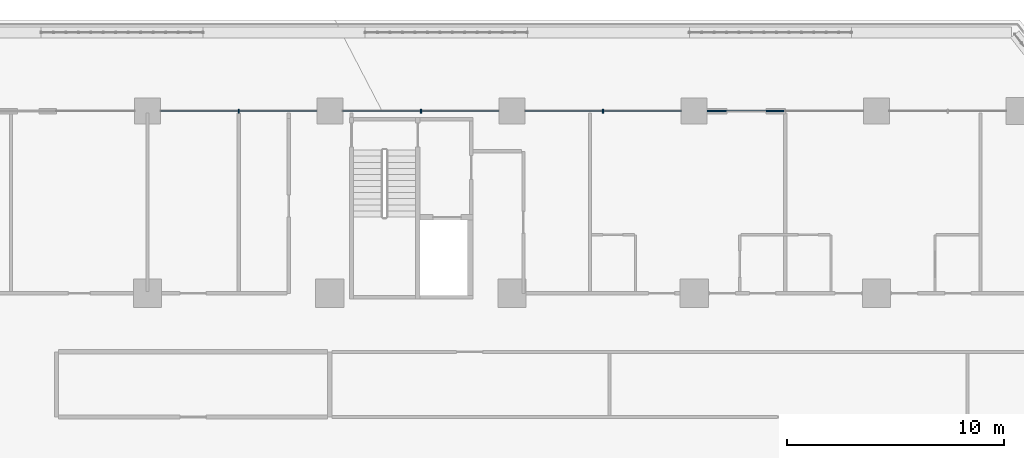
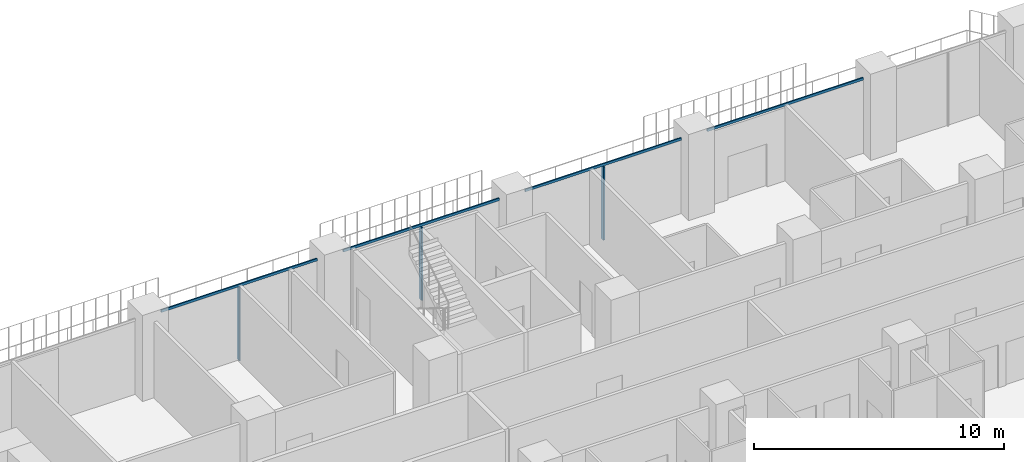
# One storey, part 8 of 28: 7 members, 1 element without a shape of its own.
"""IFC4 building model written with IfcOpenShell, lengths in metres."""

import ifcopenshell
import ifcopenshell.guid

model = None  # the IFC model being written
_history = None  # IfcOwnerHistory: only IFC2X3 demands one
_inside = {}  # id of a spatial element -> (the spatial element, [elements in it])
_under = {}  # id of a project, library or spatial element -> (it, [spatial elements below it])
_declared = {}  # id of a project -> (the project, [libraries it declares])
_typed = {}  # id of a type object -> (the type object, [elements of that type])
_made_of = {}  # id of a material, layer set ... -> (it, [elements and type objects made of it])


def new_model(schema):
    """Start an empty IFC model of exactly this schema.

    Asked for "IFC4X3", IfcOpenShell would pick the latest addendum, in which some entities
    have other attributes; the version numbers below select the first issue.
    IFC2X3 requires an IfcOwnerHistory on every rooted entity: one is made here for all.
    """
    global model, _history
    if schema == "IFC4X3":
        model = ifcopenshell.file(schema_version=(4, 3, 0, 0))
    else:
        model = ifcopenshell.file(schema=schema)
    _inside.clear()
    _under.clear()
    _declared.clear()
    _typed.clear()
    _made_of.clear()
    _history = None
    if model.schema == "IFC2X3":
        org = make("IfcOrganization", Name="unknown")
        user = make(
            "IfcPersonAndOrganization",
            ThePerson=make("IfcPerson", FamilyName="unknown"),
            TheOrganization=org,
        )
        app = make(
            "IfcApplication",
            ApplicationDeveloper=org,
            Version="unknown",
            ApplicationFullName="unknown",
            ApplicationIdentifier="unknown",
        )
        _history = make(
            "IfcOwnerHistory",
            OwningUser=user,
            OwningApplication=app,
            ChangeAction="ADDED",
            CreationDate=0,
        )
    return model


def make(cls, **values):
    """One entity of the class cls with the attributes given. An attribute that is None is left unset."""
    return model.create_entity(
        cls, **{name: value for name, value in values.items() if value is not None}
    )


def rooted(cls, **values):
    """An entity with a GlobalId (a new one), such as an element, a storey or a relation."""
    return make(cls, GlobalId=ifcopenshell.guid.new(), OwnerHistory=_history, **values)


def si_unit(unit_type, name, prefix=None):
    """IfcSIUnit, for example si_unit("LENGTHUNIT", "METRE", prefix="MILLI")."""
    return make("IfcSIUnit", UnitType=unit_type, Prefix=prefix, Name=name)


def assignment(units):
    """IfcUnitAssignment: the units of a project."""
    return None if units is None else make("IfcUnitAssignment", Units=units)


def point(xyz):
    """IfcCartesianPoint."""
    return None if xyz is None else make("IfcCartesianPoint", Coordinates=xyz)


def direction(xyz):
    """IfcDirection."""
    return None if xyz is None else make("IfcDirection", DirectionRatios=xyz)


def frame(location, z_axis=None, x_axis=None):
    """IfcAxis2Placement3D, a coordinate frame: its origin and axes. An axis left out is left unset."""
    return make(
        "IfcAxis2Placement3D",
        Location=point(location),
        Axis=direction(z_axis),
        RefDirection=direction(x_axis),
    )


def frame_2d(location, x_axis=None):
    """IfcAxis2Placement2D, a coordinate frame in the plane: its origin and x axis."""
    return make(
        "IfcAxis2Placement2D", Location=point(location), RefDirection=direction(x_axis)
    )


def origin():
    """The frame at (0, 0, 0) with its axes left unset."""
    return frame((0.0, 0.0, 0.0))


def origin_2d():
    """The frame at (0, 0) in the plane with its x axis left unset."""
    return frame_2d((0.0, 0.0))


def place(relative_to, where):
    """IfcLocalPlacement: puts the frame where relative to a parent placement (None: the world)."""
    return make(
        "IfcLocalPlacement", PlacementRelTo=relative_to, RelativePlacement=where
    )


def context(
    kind, dimensions, precision=None, world=None, true_north=None, identifier=None
):
    """IfcGeometricRepresentationContext, for example the 3D "Model" context."""
    return make(
        "IfcGeometricRepresentationContext",
        ContextIdentifier=identifier,
        ContextType=kind,
        CoordinateSpaceDimension=dimensions,
        Precision=precision,
        WorldCoordinateSystem=world,
        TrueNorth=true_north,
    )


def subcontext(parent, identifier, kind, view, scale=None):
    """IfcGeometricRepresentationSubContext, for example "Body" below "Model"."""
    return make(
        "IfcGeometricRepresentationSubContext",
        ContextIdentifier=identifier,
        ContextType=kind,
        ParentContext=parent,
        TargetScale=scale,
        TargetView=view,
    )


def project(units=None, contexts=None):
    """IfcProject with its units and contexts."""
    return rooted(
        "IfcProject",
        Name="project",
        RepresentationContexts=contexts,
        UnitsInContext=assignment(units),
    )


def spatial(cls, under=None, at=None, **own):
    """A site, building, storey or space (cls), placed at a placement, below another one or the project."""
    s = rooted(cls, ObjectPlacement=at, **own)
    if under is not None:
        _under.setdefault(under.id(), (under, []))[1].append(s)
    return s


def profile(cls, at=None, kind="AREA", **sizes):
    """A parametric profile (cls). Its sizes go by their IFC names, for example OverallWidth=200.0."""
    return make(cls, ProfileType=kind, Position=at, **sizes)


def rectangle(**sizes):
    """IfcRectangleProfileDef."""
    return profile("IfcRectangleProfileDef", **sizes)


def extrude(swept, where, along, depth):
    """IfcExtrudedAreaSolid: the profile swept, set in the frame where, extruded along a direction by depth."""
    return make(
        "IfcExtrudedAreaSolid",
        SweptArea=swept,
        Position=where,
        ExtrudedDirection=direction(along),
        Depth=depth,
    )


def shape(context_of_items, identifier, shape_type, items):
    """IfcShapeRepresentation: the items that make up one representation, for example the "Body"."""
    return make(
        "IfcShapeRepresentation",
        ContextOfItems=context_of_items,
        RepresentationIdentifier=identifier,
        RepresentationType=shape_type,
        Items=items,
    )


def material(Name=None, Category=None):
    """IfcMaterial."""
    return make("IfcMaterial", Name=Name, Category=Category)


def layer(
    of_material, thickness, ventilated=None, Name=None, Category=None, Priority=None
):
    """IfcMaterialLayer: one layer of a wall or slab, of a material (None: an air gap)."""
    return make(
        "IfcMaterialLayer",
        Material=of_material,
        LayerThickness=thickness,
        IsVentilated=ventilated,
        Name=Name,
        Category=Category,
        Priority=Priority,
    )


def layer_set(layers, Name=None):
    """IfcMaterialLayerSet."""
    return make("IfcMaterialLayerSet", MaterialLayers=layers, LayerSetName=Name)


def material_profile(
    of_material, cross_section, Name=None, Category=None, Priority=None
):
    """IfcMaterialProfile: a cross section and its material."""
    return make(
        "IfcMaterialProfile",
        Name=Name,
        Material=of_material,
        Profile=cross_section,
        Priority=Priority,
        Category=Category,
    )


def profile_set(profiles, Name=None, composite=None):
    """IfcMaterialProfileSet."""
    return make(
        "IfcMaterialProfileSet",
        Name=Name,
        MaterialProfiles=profiles,
        CompositeProfile=composite,
    )


def made_of(thing, what):
    """Note that an element or type object is made of a material, layer set ...; save() writes the relation."""
    if what is not None:
        _made_of.setdefault(what.id(), (what, []))[1].append(thing)
    return thing


def type_object(cls, material=None, **own):
    """A type object (cls), such as IfcWallType, which elements share."""
    return made_of(rooted(cls, **own), material)


def element(
    cls,
    number,
    at=None,
    inside=None,
    cuts=None,
    type_object=None,
    material=None,
    context=None,
    identifier="Body",
    shape_type=None,
    held_by="IfcProductDefinitionShape",
    body=None,
    shapes=None,
    **own,
):
    """One element of the class cls, such as IfcWall. Its Tag is "e" and its number.

    at: its placement. inside: the storey or other place that contains it. cuts: it is an
    opening in that element (IfcRelVoidsElement). A single representation is given by context,
    identifier, shape_type and body (its items); several are given by shapes. held_by: the class
    of the entity that holds the representations. save() writes the other relations.
    """
    e = rooted(cls, Tag="e%d" % number, ObjectPlacement=at, **own)
    if body is not None:
        shapes = [shape(context, identifier, shape_type, body)]
    if shapes is not None:
        e.Representation = make(held_by, Representations=shapes)
    if inside is not None:
        _inside.setdefault(inside.id(), (inside, []))[1].append(e)
    if cuts is not None:
        rooted(
            "IfcRelVoidsElement", RelatingBuildingElement=cuts, RelatedOpeningElement=e
        )
    if type_object is not None:
        _typed.setdefault(type_object.id(), (type_object, []))[1].append(e)
    return made_of(e, material)


def aggregate(whole, parts):
    """IfcRelAggregates: a whole, such as a stair, and the parts it consists of."""
    return rooted("IfcRelAggregates", RelatingObject=whole, RelatedObjects=parts)


def save(model, path):
    """Write the relations noted so far, then the file.

    IfcRelAggregates (storeys below a building ...), IfcRelContainedInSpatialStructure (elements
    in a storey), IfcRelDefinesByType, IfcRelAssociatesMaterial and IfcRelDeclares: one each for
    every whole, place, type object, material and project.
    """
    for whole, parts in _under.values():
        aggregate(whole, parts)
    for where, things in _inside.values():
        rooted(
            "IfcRelContainedInSpatialStructure",
            RelatedElements=things,
            RelatingStructure=where,
        )
    for kind, things in _typed.values():
        rooted("IfcRelDefinesByType", RelatedObjects=things, RelatingType=kind)
    for what, things in _made_of.values():
        rooted("IfcRelAssociatesMaterial", RelatedObjects=things, RelatingMaterial=what)
    for by, libraries in _declared.values():
        rooted("IfcRelDeclares", RelatingContext=by, RelatedDefinitions=libraries)
    model.write(path)


model = new_model("IFC4")

# Units and contexts
model_context = context("Model", 3, precision=1e-05, world=origin(), true_north=direction((0.0, 1.0)))
body_context = subcontext(model_context, "Body", "Model", "MODEL_VIEW")
ifc_project = project(units=[si_unit("LENGTHUNIT", "METRE"), si_unit("AREAUNIT", "SQUARE_METRE"), si_unit("VOLUMEUNIT", "CUBIC_METRE"), si_unit("PLANEANGLEUNIT", "RADIAN"), si_unit("MASSUNIT", "GRAM", prefix="KILO")], contexts=[model_context])

# Site, building, storey
site_placement = place(None, origin())
site = spatial("IfcSite", under=ifc_project, at=site_placement, CompositionType="ELEMENT")
building_placement = place(site_placement, origin())
building = spatial("IfcBuilding", under=site, at=building_placement, Name="Kawkab Arch Medical Tower", CompositionType="ELEMENT")
storey_placement = place(building_placement, frame((0.0, 0.0, 89.60009765625)))
storey = spatial("IfcBuildingStorey", under=building, at=storey_placement, Name="L20", CompositionType="ELEMENT", Elevation=89.60009765625)

# Curtain wall, members
ifc_material_1 = material(Name="Bronze anodised aluminium curtain wall frame", Category="aluminium")
ifc_layer = layer(ifc_material_1, 0.159912109375)
ifc_layer_set = layer_set([ifc_layer], Name="Bronze anodised aluminium curtain wall frame")
curtain_wall_type = type_object("IfcCurtainWallType", Name="CW1 ward curtain wall", PredefinedType="NOTDEFINED", material=ifc_layer_set)
curtain_wall_placement = place(storey_placement, origin())
curtain_wall = element("IfcCurtainWall", 1, at=curtain_wall_placement, inside=storey, type_object=curtain_wall_type, Name="CW1 Ward curtain wall R11", PredefinedType="NOTDEFINED")
ifc_material_2 = material(Name="Bronze anodised aluminium curtain wall frame", Category="aluminium")
ifc_material_profile_1 = material_profile(ifc_material_2, rectangle(XDim=0.179931640625, YDim=0.06005859375, at=origin_2d()), Name="AL 60x180")
ifc_profile_set_1 = profile_set([ifc_material_profile_1], Name="Bronze anodised aluminium curtain wall frame")
member_type_1 = type_object("IfcMemberType", Name="CW1 mullion 60 x 180", PredefinedType="MULLION", material=ifc_profile_set_1)
member_1_placement = place(storey_placement, frame((54.60009765625, 0.0, 0.0), z_axis=(0.0, 0.0, 1.0), x_axis=(0.0, -1.0, 0.0)))
member_1 = element("IfcMember", 2, at=member_1_placement, type_object=member_type_1, Name="CW1 mullion 3.1", PredefinedType="MULLION", context=body_context, shape_type="SweptSolid", body=[
    extrude(rectangle(XDim=0.179931640625, YDim=0.06005859375, at=origin_2d()), origin(), (0.0, 0.0, 1.0), 3.579833984375),
])
member_2_placement = place(storey_placement, frame((46.199951171875, 0.0, 0.0), z_axis=(0.0, 0.0, 1.0), x_axis=(0.0, -1.0, 0.0)))
member_2 = element("IfcMember", 3, at=member_2_placement, type_object=member_type_1, Name="CW1 mullion 4.1", PredefinedType="MULLION", context=body_context, shape_type="SweptSolid", body=[
    extrude(rectangle(XDim=0.179931640625, YDim=0.06005859375, at=origin_2d()), origin(), (0.0, 0.0, 1.0), 3.579833984375),
])
member_3_placement = place(storey_placement, frame((37.800048828125, 0.0, 0.0), z_axis=(0.0, 0.0, 1.0), x_axis=(0.0, -1.0, 0.0)))
member_3 = element("IfcMember", 4, at=member_3_placement, type_object=member_type_1, Name="CW1 mullion 5.1", PredefinedType="MULLION", context=body_context, shape_type="SweptSolid", body=[
    extrude(rectangle(XDim=0.179931640625, YDim=0.06005859375, at=origin_2d()), origin(), (0.0, 0.0, 1.0), 3.579833984375),
])
ifc_material_3 = material(Name="Bronze anodised aluminium curtain wall frame", Category="aluminium")
ifc_material_profile_2 = material_profile(ifc_material_3, rectangle(XDim=0.06005859375, YDim=0.1201171875, at=origin_2d()), Name="AL 60x120")
ifc_profile_set_2 = profile_set([ifc_material_profile_2], Name="Bronze anodised aluminium curtain wall frame")
member_type_2 = type_object("IfcMemberType", Name="CW1 transom 120 x 60", PredefinedType="USERDEFINED", material=ifc_profile_set_2)
member_4_placement = place(storey_placement, frame((66.60009765625, 0.0, 3.639892578125), z_axis=(-1.0, 0.0, 0.0), x_axis=(0.0, -1.0, 0.0)))
member_4 = element("IfcMember", 5, at=member_4_placement, type_object=member_type_2, Name="CW1 transom 2", ObjectType="TRANSOM", PredefinedType="USERDEFINED", context=body_context, shape_type="SweptSolid", body=[
    extrude(rectangle(XDim=0.06005859375, YDim=0.1201171875, at=origin_2d()), origin(), (0.0, 0.0, 1.0), 7.2001953125),
])
member_5_placement = place(storey_placement, frame((58.199951171875, 0.0, 3.639892578125), z_axis=(-1.0, 0.0, 0.0), x_axis=(0.0, -1.0, 0.0)))
member_5 = element("IfcMember", 6, at=member_5_placement, type_object=member_type_2, Name="CW1 transom 3", ObjectType="TRANSOM", PredefinedType="USERDEFINED", context=body_context, shape_type="SweptSolid", body=[
    extrude(rectangle(XDim=0.06005859375, YDim=0.1201171875, at=origin_2d()), origin(), (0.0, 0.0, 1.0), 7.199951171875),
])
member_6_placement = place(storey_placement, frame((49.800048828125, 0.0, 3.639892578125), z_axis=(-1.0, 0.0, 0.0), x_axis=(0.0, -1.0, 0.0)))
member_6 = element("IfcMember", 7, at=member_6_placement, type_object=member_type_2, Name="CW1 transom 4", ObjectType="TRANSOM", PredefinedType="USERDEFINED", context=body_context, shape_type="SweptSolid", body=[
    extrude(rectangle(XDim=0.06005859375, YDim=0.1201171875, at=origin_2d()), origin(), (0.0, 0.0, 1.0), 7.199951171875),
])
member_7_placement = place(storey_placement, frame((41.39990234375, 0.0, 3.639892578125), z_axis=(-1.0, 0.0, 0.0), x_axis=(0.0, -1.0, 0.0)))
member_7 = element("IfcMember", 8, at=member_7_placement, type_object=member_type_2, Name="CW1 transom 5", ObjectType="TRANSOM", PredefinedType="USERDEFINED", context=body_context, shape_type="SweptSolid", body=[
    extrude(rectangle(XDim=0.06005859375, YDim=0.1201171875, at=origin_2d()), origin(), (0.0, 0.0, 1.0), 7.199951171875),
])
aggregate(curtain_wall, [member_4, member_5, member_1, member_6, member_2, member_7, member_3])

save(model, "model.ifc")
